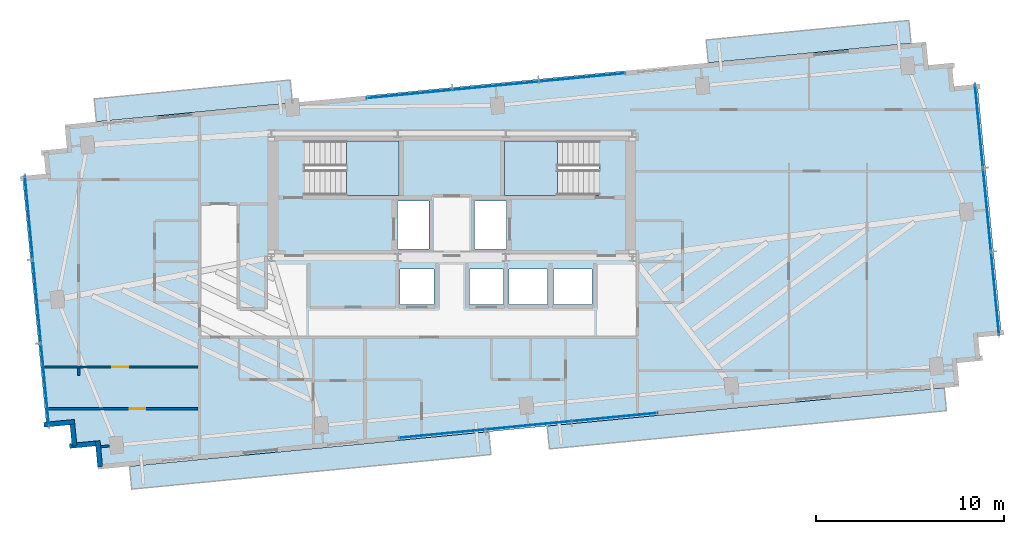
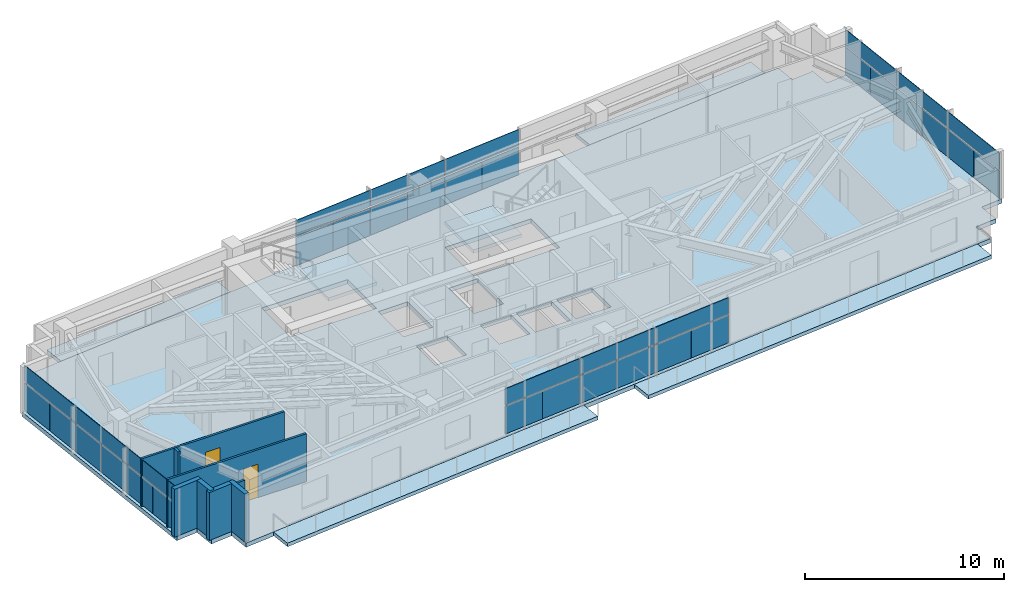
# One storey, part 12 of 18: 36 plates, 8 walls, 7 slabs, 2 doors, 2 openings, 6 elements without a shape of their own.
"""IFC4 building model written with IfcOpenShell, lengths in metres."""

from ifc_helpers import new_model, si_unit, direction, frame, frame_2d, origin, origin_2d, place, context, subcontext, project, spatial, polyline, rectangle, outline, extrude, source, transform, mapped, material, layer, layer_set, type_object, type_shapes, element, fill, aggregate, save


model = new_model("IFC4")

# Units and contexts
model_context = context("Model", 3, precision=1e-05, world=origin(), true_north=direction((0.0, 1.0)))
body_context = subcontext(model_context, "Body", "Model", "MODEL_VIEW")
ifc_project = project(units=[si_unit("LENGTHUNIT", "METRE"), si_unit("AREAUNIT", "SQUARE_METRE"), si_unit("VOLUMEUNIT", "CUBIC_METRE"), si_unit("PLANEANGLEUNIT", "RADIAN"), si_unit("MASSUNIT", "GRAM", prefix="KILO")], contexts=[model_context])

# Site, building, storey
site_placement = place(None, origin())
site = spatial("IfcSite", under=ifc_project, at=site_placement, CompositionType="ELEMENT")
building_placement = place(site_placement, origin())
building = spatial("IfcBuilding", under=site, at=building_placement, Name="Astriad Promenade Condominiums", CompositionType="ELEMENT")
storey_placement = place(building_placement, frame((0.0, 0.0, 176.199951171875)))
storey = spatial("IfcBuildingStorey", under=building, at=storey_placement, Name="L50", CompositionType="ELEMENT", Elevation=176.199951171875)

# Slab
ifc_material_1 = material(Name="Concrete C50/60", Category="concrete")
ifc_layer_1 = layer(ifc_material_1, 0.260009765625)
ifc_layer_set_1 = layer_set([ifc_layer_1], Name="Concrete C50/60")
slab_type_1 = type_object("IfcSlabType", Name="CONCRETE TOWER FLOOR SLAB 260", PredefinedType="FLOOR", material=ifc_layer_set_1)
slab_1_placement = place(storey_placement, frame((0.0, 0.0, -0.260009765625)))
element("IfcSlab", 1, at=slab_1_placement, inside=storey, type_object=slab_type_1, Name="Structural Floor Slab (L50)", PredefinedType="FLOOR", context=body_context, shape_type="SweptSolid", body=[
    extrude(outline(polyline([(17.187744140625, 6.137939453125), (62.975830078125, 10.546875), (62.856201171875, 11.791015625), (64.100341796875, 11.910888671875), (63.98046875, 13.155029296875), (65.224853515625, 13.27490234375), (63.9404296875, 26.61328125), (62.6962890625, 26.493408203125), (62.576416015625, 27.73779296875), (61.33203125, 27.617919921875), (61.21240234375, 28.862060546875), (15.424072265625, 24.453125), (15.5439453125, 23.208984375), (14.2998046875, 23.089111328125), (14.41943359375, 21.844970703125), (13.17529296875, 21.72509765625), (14.459716796875, 8.38671875), (15.703857421875, 8.506591796875), (15.823486328125, 7.26220703125), (17.06787109375, 7.382080078125), (17.187744140625, 6.137939453125)]), holes=[polyline([(28.175048828125, 20.699951171875), (33.175048828125, 20.699951171875), (33.175048828125, 23.60009765625), (28.175048828125, 23.60009765625), (28.175048828125, 20.699951171875)]), polyline([(38.824951171875, 20.699951171875), (43.824951171875, 20.699951171875), (43.824951171875, 23.60009765625), (38.824951171875, 23.60009765625), (38.824951171875, 20.699951171875)]), polyline([(33.10009765625, 17.85009765625), (34.800048828125, 17.85009765625), (34.800048828125, 20.39990234375), (33.10009765625, 20.39990234375), (33.10009765625, 17.85009765625)]), polyline([(37.199951171875, 17.85009765625), (38.89990234375, 17.85009765625), (38.89990234375, 20.39990234375), (37.199951171875, 20.39990234375), (37.199951171875, 17.85009765625)]), polyline([(33.25, 14.89990234375), (35.050048828125, 14.89990234375), (35.050048828125, 16.800048828125), (33.25, 16.800048828125), (33.25, 14.89990234375)]), polyline([(36.949951171875, 14.89990234375), (38.75, 14.89990234375), (38.75, 16.800048828125), (36.949951171875, 16.800048828125), (36.949951171875, 14.89990234375)]), polyline([(39.050048828125, 14.89990234375), (41.10009765625, 14.89990234375), (41.10009765625, 16.800048828125), (39.050048828125, 16.800048828125), (39.050048828125, 14.89990234375)]), polyline([(41.39990234375, 14.89990234375), (43.449951171875, 14.89990234375), (43.449951171875, 16.800048828125), (41.39990234375, 16.800048828125), (41.39990234375, 14.89990234375)])]), origin(), (0.0, 0.0, 1.0), 0.260009765625),
])

# Stair, slab
stair_type = type_object("IfcStairType", Name="STR-CORE-1350", PredefinedType="HALF_TURN_STAIR", material=ifc_material_1)
stair_1_placement = place(storey_placement, origin())
stair_1 = element("IfcStair", 2, at=stair_1_placement, inside=storey, type_object=stair_type, Name="L50 Enclosed Core Exit Stair ST-1", PredefinedType="HALF_TURN_STAIR")
ifc_layer_2 = layer(ifc_material_1, 0.219970703125)
ifc_layer_set_2 = layer_set([ifc_layer_2], Name="Concrete C50/60")
slab_type_2 = type_object("IfcSlabType", Name="SLB-LANDING-220", PredefinedType="LANDING", material=ifc_layer_set_2)
slab_2_placement = place(storey_placement, frame((0.0, 0.0, 1.400146484375)))
slab_2 = element("IfcSlab", 3, at=slab_2_placement, type_object=slab_type_2, Name="ST-1 landing 1", PredefinedType="LANDING", context=body_context, shape_type="SweptSolid", body=[
    extrude(outline(polyline([(30.389892578125, 20.699951171875), (33.199951171875, 20.699951171875), (33.199951171875, 23.60009765625), (30.389892578125, 23.60009765625), (30.389892578125, 20.699951171875)])), origin(), (0.0, 0.0, 1.0), 0.199951171875),
])
aggregate(stair_1, [slab_2])

stair_2_placement = place(storey_placement, origin())
stair_2 = element("IfcStair", 4, at=stair_2_placement, inside=storey, type_object=stair_type, Name="L50 Enclosed Core Exit Stair ST-2", PredefinedType="HALF_TURN_STAIR")
slab_3_placement = place(storey_placement, frame((0.0, 0.0, 1.400146484375)))
slab_3 = element("IfcSlab", 5, at=slab_3_placement, type_object=slab_type_2, Name="ST-2 landing 1", PredefinedType="LANDING", context=body_context, shape_type="SweptSolid", body=[
    extrude(outline(polyline([(41.610107421875, 23.60009765625), (38.800048828125, 23.60009765625), (38.800048828125, 20.699951171875), (41.610107421875, 20.699951171875), (41.610107421875, 23.60009765625)])), origin(), (0.0, 0.0, 1.0), 0.199951171875),
])
aggregate(stair_2, [slab_3])

# Slabs
ifc_material_2 = material(Name="Precast concrete C50/60", Category="concrete")
ifc_layer_3 = layer(ifc_material_2, 0.219970703125)
ifc_layer_set_3 = layer_set([ifc_layer_3], Name="Precast concrete C50/60")
slab_type_3 = type_object("IfcSlabType", Name="WHITE PRECAST CONCRETE WAVE BALCONY SLAB 220", PredefinedType="FLOOR", material=ifc_layer_set_3)
slab_4_placement = place(storey_placement, frame((0.0, 0.0, -0.219970703125)))
element("IfcSlab", 6, at=slab_4_placement, inside=storey, type_object=slab_type_3, Name="White Precast Wave Balcony Slab BAL-L50-SW", PredefinedType="FLOOR", context=body_context, shape_type="SweptSolid", body=[
    extrude(outline(polyline([(38.08056640625, 6.924072265625), (18.98681640625, 5.08544921875), (18.8701171875, 6.2978515625), (37.9638671875, 8.136474609375), (38.08056640625, 6.924072265625)])), origin(), (0.0, 0.0, 1.0), 0.219970703125),
])
slab_5_placement = place(storey_placement, frame((0.0, 0.0, -0.219970703125)))
element("IfcSlab", 7, at=slab_5_placement, inside=storey, type_object=slab_type_3, Name="White Precast Wave Balcony Slab BAL-L50-SE", PredefinedType="FLOOR", context=body_context, shape_type="SweptSolid", body=[
    extrude(outline(polyline([(41.18798828125, 7.22314453125), (62.29345703125, 9.255615234375), (62.176513671875, 10.4697265625), (41.0712890625, 8.4375), (41.18798828125, 7.22314453125)])), origin(), (0.0, 0.0, 1.0), 0.219970703125),
])
slab_6_placement = place(storey_placement, frame((0.0, 0.0, -0.219970703125)))
element("IfcSlab", 8, at=slab_6_placement, inside=storey, type_object=slab_type_3, Name="White Precast Wave Balcony Slab BAL-L50-NW", PredefinedType="FLOOR", context=body_context, shape_type="SweptSolid", body=[
    extrude(outline(polyline([(17.106201171875, 24.615234375), (27.528076171875, 25.61865234375), (27.4111328125, 26.8330078125), (16.989501953125, 25.82958984375), (17.106201171875, 24.615234375)])), origin(), (0.0, 0.0, 1.0), 0.219970703125),
])
slab_7_placement = place(storey_placement, frame((0.0, 0.0, -0.219970703125)))
element("IfcSlab", 9, at=slab_7_placement, inside=storey, type_object=slab_type_3, Name="White Precast Wave Balcony Slab BAL-L50-NE", PredefinedType="FLOOR", context=body_context, shape_type="SweptSolid", body=[
    extrude(outline(polyline([(49.518798828125, 28.9619140625), (60.296142578125, 29.99951171875), (60.412841796875, 28.787109375), (49.6357421875, 27.74951171875), (49.518798828125, 28.9619140625)])), origin(), (0.0, 0.0, 1.0), 0.219970703125),
])

# Curtain wall, plates
ifc_material_3 = material(Name="Anodised aluminium Black Dark Glass Unitised", Category="aluminium")
curtain_wall_type = type_object("IfcCurtainWallType", Name="CW-B34-DARK", PredefinedType="USERDEFINED", material=ifc_material_3)
curtain_wall_1_placement = place(storey_placement, origin())
curtain_wall_1 = element("IfcCurtainWall", 10, at=curtain_wall_1_placement, inside=storey, type_object=curtain_wall_type, Name="CW-L50-W", ObjectType="UNITISED_CURTAIN_WALL", PredefinedType="USERDEFINED")
ifc_material_4 = material(Name="Dark Tinted Low-E Laminated Glass", Category="glass")
ifc_layer_4 = layer(ifc_material_4, 0.035888671875)
ifc_layer_set_4 = layer_set([ifc_layer_4], Name="Dark Tinted Low-E Laminated Glass")
plate_type = type_object("IfcPlateType", Name="PNL-DARK-GLASS-36", PredefinedType="CURTAIN_PANEL", material=ifc_layer_set_4)
shared_shape_1 = source(origin(), body_context, "Body", "SweptSolid", [
    extrude(rectangle(XDim=2.22119140625, YDim=0.035888671875, at=origin_2d()), origin(), (0.0, 0.0, 1.0), 1.702880859375),
])
plate_1_placement = place(storey_placement, frame((14.48193359375, 9.5107421875, 0.080078125), z_axis=(0.0, 0.0, 1.0), x_axis=(-0.09584575252, 0.995396198367, 0.0)))
plate_1 = element("IfcPlate", 11, at=plate_1_placement, type_object=plate_type, Name="CW-L50-W-PNL-00-VL", PredefinedType="CURTAIN_PANEL", context=body_context, shape_type="MappedRepresentation", body=[
    mapped(shared_shape_1, transform((0.0, 0.0, 0.0), scale=1.0)),
])
plate_2_placement = place(storey_placement, frame((14.267822265625, 11.73388671875, 0.080078125), z_axis=(0.0, 0.0, 1.0), x_axis=(-0.09584575252, 0.995396198367, 0.0)))
plate_2 = element("IfcPlate", 12, at=plate_2_placement, type_object=plate_type, Name="CW-L50-W-PNL-00-VR", PredefinedType="CURTAIN_PANEL", context=body_context, shape_type="MappedRepresentation", body=[
    mapped(shared_shape_1, transform((0.0, 0.0, 0.0), scale=1.0)),
])
plate_3_placement = place(storey_placement, frame((14.053955078125, 13.956787109375, 0.080078125), z_axis=(0.0, 0.0, 1.0), x_axis=(-0.09584575252, 0.995396198367, 0.0)))
plate_3 = element("IfcPlate", 13, at=plate_3_placement, type_object=plate_type, Name="CW-L50-W-PNL-01-VL", PredefinedType="CURTAIN_PANEL", context=body_context, shape_type="MappedRepresentation", body=[
    mapped(shared_shape_1, transform((0.0, 0.0, 0.0), scale=1.0)),
])
plate_4_placement = place(storey_placement, frame((13.839599609375, 16.179931640625, 0.080078125), z_axis=(0.0, 0.0, 1.0), x_axis=(-0.09584575252, 0.995396198367, 0.0)))
plate_4 = element("IfcPlate", 14, at=plate_4_placement, type_object=plate_type, Name="CW-L50-W-PNL-01-VR", PredefinedType="CURTAIN_PANEL", context=body_context, shape_type="MappedRepresentation", body=[
    mapped(shared_shape_1, transform((0.0, 0.0, 0.0), scale=1.0)),
])
plate_5_placement = place(storey_placement, frame((13.625732421875, 18.403076171875, 0.080078125), z_axis=(0.0, 0.0, 1.0), x_axis=(-0.09584575252, 0.995396198367, 0.0)))
plate_5 = element("IfcPlate", 15, at=plate_5_placement, type_object=plate_type, Name="CW-L50-W-PNL-02-VL", PredefinedType="CURTAIN_PANEL", context=body_context, shape_type="MappedRepresentation", body=[
    mapped(shared_shape_1, transform((0.0, 0.0, 0.0), scale=1.0)),
])
plate_6_placement = place(storey_placement, frame((13.41162109375, 20.626220703125, 0.080078125), z_axis=(0.0, 0.0, 1.0), x_axis=(-0.09584575252, 0.995396198367, 0.0)))
plate_6 = element("IfcPlate", 16, at=plate_6_placement, type_object=plate_type, Name="CW-L50-W-PNL-02-VR", PredefinedType="CURTAIN_PANEL", context=body_context, shape_type="MappedRepresentation", body=[
    mapped(shared_shape_1, transform((0.0, 0.0, 0.0), scale=1.0)),
])

curtain_wall_2_placement = place(storey_placement, origin())
curtain_wall_2 = element("IfcCurtainWall", 17, at=curtain_wall_2_placement, inside=storey, type_object=curtain_wall_type, Name="CW-L50-E", ObjectType="UNITISED_CURTAIN_WALL", PredefinedType="USERDEFINED")
plate_7_placement = place(storey_placement, frame((63.91796875, 25.4892578125, 0.080078125), z_axis=(0.0, 0.0, 1.0), x_axis=(0.09584575252, -0.995396198367, 0.0)))
plate_7 = element("IfcPlate", 18, at=plate_7_placement, type_object=plate_type, Name="CW-L50-E-PNL-00-VL", PredefinedType="CURTAIN_PANEL", context=body_context, shape_type="MappedRepresentation", body=[
    mapped(shared_shape_1, transform((0.0, 0.0, 0.0), scale=1.0)),
])
plate_8_placement = place(storey_placement, frame((64.132080078125, 23.26611328125, 0.080078125), z_axis=(0.0, 0.0, 1.0), x_axis=(0.09584575252, -0.995396198367, 0.0)))
plate_8 = element("IfcPlate", 19, at=plate_8_placement, type_object=plate_type, Name="CW-L50-E-PNL-00-VR", PredefinedType="CURTAIN_PANEL", context=body_context, shape_type="MappedRepresentation", body=[
    mapped(shared_shape_1, transform((0.0, 0.0, 0.0), scale=1.0)),
])
plate_9_placement = place(storey_placement, frame((64.34619140625, 21.043212890625, 0.080078125), z_axis=(0.0, 0.0, 1.0), x_axis=(0.09584575252, -0.995396198367, 0.0)))
plate_9 = element("IfcPlate", 20, at=plate_9_placement, type_object=plate_type, Name="CW-L50-E-PNL-01-VL", PredefinedType="CURTAIN_PANEL", context=body_context, shape_type="MappedRepresentation", body=[
    mapped(shared_shape_1, transform((0.0, 0.0, 0.0), scale=1.0)),
])
plate_10_placement = place(storey_placement, frame((64.560302734375, 18.820068359375, 0.080078125), z_axis=(0.0, 0.0, 1.0), x_axis=(0.09584575252, -0.995396198367, 0.0)))
plate_10 = element("IfcPlate", 21, at=plate_10_placement, type_object=plate_type, Name="CW-L50-E-PNL-01-VR", PredefinedType="CURTAIN_PANEL", context=body_context, shape_type="MappedRepresentation", body=[
    mapped(shared_shape_1, transform((0.0, 0.0, 0.0), scale=1.0)),
])
plate_11_placement = place(storey_placement, frame((64.7744140625, 16.596923828125, 0.080078125), z_axis=(0.0, 0.0, 1.0), x_axis=(0.09584575252, -0.995396198367, 0.0)))
plate_11 = element("IfcPlate", 22, at=plate_11_placement, type_object=plate_type, Name="CW-L50-E-PNL-02-VL", PredefinedType="CURTAIN_PANEL", context=body_context, shape_type="MappedRepresentation", body=[
    mapped(shared_shape_1, transform((0.0, 0.0, 0.0), scale=1.0)),
])
plate_12_placement = place(storey_placement, frame((64.98828125, 14.373779296875, 0.080078125), z_axis=(0.0, 0.0, 1.0), x_axis=(0.09584575252, -0.995396198367, 0.0)))
plate_12 = element("IfcPlate", 23, at=plate_12_placement, type_object=plate_type, Name="CW-L50-E-PNL-02-VR", PredefinedType="CURTAIN_PANEL", context=body_context, shape_type="MappedRepresentation", body=[
    mapped(shared_shape_1, transform((0.0, 0.0, 0.0), scale=1.0)),
])

# Plate
shared_shape_2 = source(origin(), body_context, "Body", "SweptSolid", [
    extrude(rectangle(XDim=4.45458984375, YDim=0.035888671875, at=origin_2d()), origin(), (0.0, 0.0, 1.0), 0.997314453125),
])
plate_13_placement = place(storey_placement, frame((14.375, 10.622314453125, 1.86279296875), z_axis=(0.0, 0.0, 1.0), x_axis=(-0.09584575252, 0.995396198367, 0.0)))
plate_13 = element("IfcPlate", 24, at=plate_13_placement, type_object=plate_type, Name="CW-L50-W-PNL-00-S", PredefinedType="CURTAIN_PANEL", context=body_context, shape_type="MappedRepresentation", body=[
    mapped(shared_shape_2, transform((0.0, 0.0, 0.0), scale=1.0)),
])

plate_14_placement = place(storey_placement, frame((13.94677734375, 15.068359375, 1.86279296875), z_axis=(0.0, 0.0, 1.0), x_axis=(-0.09584575252, 0.995396198367, 0.0)))
plate_14 = element("IfcPlate", 25, at=plate_14_placement, type_object=plate_type, Name="CW-L50-W-PNL-01-S", PredefinedType="CURTAIN_PANEL", context=body_context, shape_type="MappedRepresentation", body=[
    mapped(shared_shape_2, transform((0.0, 0.0, 0.0), scale=1.0)),
])

plate_15_placement = place(storey_placement, frame((13.518798828125, 19.514404296875, 1.86279296875), z_axis=(0.0, 0.0, 1.0), x_axis=(-0.09584575252, 0.995396198367, 0.0)))
plate_15 = element("IfcPlate", 26, at=plate_15_placement, type_object=plate_type, Name="CW-L50-W-PNL-02-S", PredefinedType="CURTAIN_PANEL", context=body_context, shape_type="MappedRepresentation", body=[
    mapped(shared_shape_2, transform((0.0, 0.0, 0.0), scale=1.0)),
])

aggregate(curtain_wall_1, [plate_1, plate_2, plate_13, plate_3, plate_4, plate_14, plate_5, plate_6, plate_15])

plate_16_placement = place(storey_placement, frame((64.02490234375, 24.377685546875, 1.86279296875), z_axis=(0.0, 0.0, 1.0), x_axis=(0.09584575252, -0.995396198367, 0.0)))
plate_16 = element("IfcPlate", 27, at=plate_16_placement, type_object=plate_type, Name="CW-L50-E-PNL-00-S", PredefinedType="CURTAIN_PANEL", context=body_context, shape_type="MappedRepresentation", body=[
    mapped(shared_shape_2, transform((0.0, 0.0, 0.0), scale=1.0)),
])

plate_17_placement = place(storey_placement, frame((64.453125, 19.931640625, 1.86279296875), z_axis=(0.0, 0.0, 1.0), x_axis=(0.09584575252, -0.995396198367, 0.0)))
plate_17 = element("IfcPlate", 28, at=plate_17_placement, type_object=plate_type, Name="CW-L50-E-PNL-01-S", PredefinedType="CURTAIN_PANEL", context=body_context, shape_type="MappedRepresentation", body=[
    mapped(shared_shape_2, transform((0.0, 0.0, 0.0), scale=1.0)),
])

plate_18_placement = place(storey_placement, frame((64.88134765625, 15.485595703125, 1.86279296875), z_axis=(0.0, 0.0, 1.0), x_axis=(0.09584575252, -0.995396198367, 0.0)))
plate_18 = element("IfcPlate", 29, at=plate_18_placement, type_object=plate_type, Name="CW-L50-E-PNL-02-S", PredefinedType="CURTAIN_PANEL", context=body_context, shape_type="MappedRepresentation", body=[
    mapped(shared_shape_2, transform((0.0, 0.0, 0.0), scale=1.0)),
])

aggregate(curtain_wall_2, [plate_7, plate_8, plate_16, plate_9, plate_10, plate_17, plate_11, plate_12, plate_18])

# Curtain wall, plates
curtain_wall_3_placement = place(storey_placement, origin())
curtain_wall_3 = element("IfcCurtainWall", 30, at=curtain_wall_3_placement, inside=storey, type_object=curtain_wall_type, Name="CW-L50-N", ObjectType="UNITISED_CURTAIN_WALL", PredefinedType="USERDEFINED")
shared_shape_3 = source(origin(), body_context, "Body", "SweptSolid", [
    extrude(rectangle(XDim=2.2880859375, YDim=0.035888671875, at=origin_2d()), origin(), (0.0, 0.0, 1.0), 1.702880859375),
])
plate_19_placement = place(storey_placement, frame((32.607177734375, 25.97705078125, 0.080078125), z_axis=(0.0, 0.0, 1.0), x_axis=(0.995396198367, 0.09584575252, 0.0)))
plate_19 = element("IfcPlate", 31, at=plate_19_placement, type_object=plate_type, Name="CW-L50-N-PNL-00-VL", PredefinedType="CURTAIN_PANEL", context=body_context, shape_type="MappedRepresentation", body=[
    mapped(shared_shape_3, transform((0.0, 0.0, 0.0), scale=1.0)),
])
plate_20_placement = place(storey_placement, frame((34.896484375, 26.197509765625, 0.080078125), z_axis=(0.0, 0.0, 1.0), x_axis=(0.995396198367, 0.09584575252, 0.0)))
plate_20 = element("IfcPlate", 32, at=plate_20_placement, type_object=plate_type, Name="CW-L50-N-PNL-00-VR", PredefinedType="CURTAIN_PANEL", context=body_context, shape_type="MappedRepresentation", body=[
    mapped(shared_shape_3, transform((0.0, 0.0, 0.0), scale=1.0)),
])
plate_21_placement = place(storey_placement, frame((37.18603515625, 26.41796875, 0.080078125), z_axis=(0.0, 0.0, 1.0), x_axis=(0.995396198367, 0.09584575252, 0.0)))
plate_21 = element("IfcPlate", 33, at=plate_21_placement, type_object=plate_type, Name="CW-L50-N-PNL-01-VL", PredefinedType="CURTAIN_PANEL", context=body_context, shape_type="MappedRepresentation", body=[
    mapped(shared_shape_3, transform((0.0, 0.0, 0.0), scale=1.0)),
])
plate_22_placement = place(storey_placement, frame((39.475341796875, 26.638427734375, 0.080078125), z_axis=(0.0, 0.0, 1.0), x_axis=(0.995396198367, 0.09584575252, 0.0)))
plate_22 = element("IfcPlate", 34, at=plate_22_placement, type_object=plate_type, Name="CW-L50-N-PNL-01-VR", PredefinedType="CURTAIN_PANEL", context=body_context, shape_type="MappedRepresentation", body=[
    mapped(shared_shape_3, transform((0.0, 0.0, 0.0), scale=1.0)),
])
plate_23_placement = place(storey_placement, frame((41.764892578125, 26.85888671875, 0.080078125), z_axis=(0.0, 0.0, 1.0), x_axis=(0.995396198367, 0.09584575252, 0.0)))
plate_23 = element("IfcPlate", 35, at=plate_23_placement, type_object=plate_type, Name="CW-L50-N-PNL-02-VL", PredefinedType="CURTAIN_PANEL", context=body_context, shape_type="MappedRepresentation", body=[
    mapped(shared_shape_3, transform((0.0, 0.0, 0.0), scale=1.0)),
])
plate_24_placement = place(storey_placement, frame((44.05419921875, 27.079345703125, 0.080078125), z_axis=(0.0, 0.0, 1.0), x_axis=(0.995396198367, 0.09584575252, 0.0)))
plate_24 = element("IfcPlate", 36, at=plate_24_placement, type_object=plate_type, Name="CW-L50-N-PNL-02-VR", PredefinedType="CURTAIN_PANEL", context=body_context, shape_type="MappedRepresentation", body=[
    mapped(shared_shape_3, transform((0.0, 0.0, 0.0), scale=1.0)),
])

curtain_wall_4_placement = place(storey_placement, origin())
curtain_wall_4 = element("IfcCurtainWall", 37, at=curtain_wall_4_placement, inside=storey, type_object=curtain_wall_type, Name="CW-L50-S", ObjectType="UNITISED_CURTAIN_WALL", PredefinedType="USERDEFINED")
plate_25_placement = place(storey_placement, frame((45.792724609375, 9.02294921875, 0.080078125), z_axis=(0.0, 0.0, 1.0), x_axis=(-0.995396198367, -0.09584575252, 0.0)))
plate_25 = element("IfcPlate", 38, at=plate_25_placement, type_object=plate_type, Name="CW-L50-S-PNL-00-VL", PredefinedType="CURTAIN_PANEL", context=body_context, shape_type="MappedRepresentation", body=[
    mapped(shared_shape_3, transform((0.0, 0.0, 0.0), scale=1.0)),
])
plate_26_placement = place(storey_placement, frame((43.50341796875, 8.802490234375, 0.080078125), z_axis=(0.0, 0.0, 1.0), x_axis=(-0.995396198367, -0.09584575252, 0.0)))
plate_26 = element("IfcPlate", 39, at=plate_26_placement, type_object=plate_type, Name="CW-L50-S-PNL-00-VR", PredefinedType="CURTAIN_PANEL", context=body_context, shape_type="MappedRepresentation", body=[
    mapped(shared_shape_3, transform((0.0, 0.0, 0.0), scale=1.0)),
])
plate_27_placement = place(storey_placement, frame((41.214111328125, 8.58203125, 0.080078125), z_axis=(0.0, 0.0, 1.0), x_axis=(-0.995396198367, -0.09584575252, 0.0)))
plate_27 = element("IfcPlate", 40, at=plate_27_placement, type_object=plate_type, Name="CW-L50-S-PNL-01-VL", PredefinedType="CURTAIN_PANEL", context=body_context, shape_type="MappedRepresentation", body=[
    mapped(shared_shape_3, transform((0.0, 0.0, 0.0), scale=1.0)),
])
plate_28_placement = place(storey_placement, frame((38.924560546875, 8.361572265625, 0.080078125), z_axis=(0.0, 0.0, 1.0), x_axis=(-0.995396198367, -0.09584575252, 0.0)))
plate_28 = element("IfcPlate", 41, at=plate_28_placement, type_object=plate_type, Name="CW-L50-S-PNL-01-VR", PredefinedType="CURTAIN_PANEL", context=body_context, shape_type="MappedRepresentation", body=[
    mapped(shared_shape_3, transform((0.0, 0.0, 0.0), scale=1.0)),
])
plate_29_placement = place(storey_placement, frame((36.63525390625, 8.14111328125, 0.080078125), z_axis=(0.0, 0.0, 1.0), x_axis=(-0.995396198367, -0.09584575252, 0.0)))
plate_29 = element("IfcPlate", 42, at=plate_29_placement, type_object=plate_type, Name="CW-L50-S-PNL-02-VL", PredefinedType="CURTAIN_PANEL", context=body_context, shape_type="MappedRepresentation", body=[
    mapped(shared_shape_3, transform((0.0, 0.0, 0.0), scale=1.0)),
])
plate_30_placement = place(storey_placement, frame((34.345703125, 7.920654296875, 0.080078125), z_axis=(0.0, 0.0, 1.0), x_axis=(-0.995396198367, -0.09584575252, 0.0)))
plate_30 = element("IfcPlate", 43, at=plate_30_placement, type_object=plate_type, Name="CW-L50-S-PNL-02-VR", PredefinedType="CURTAIN_PANEL", context=body_context, shape_type="MappedRepresentation", body=[
    mapped(shared_shape_3, transform((0.0, 0.0, 0.0), scale=1.0)),
])

# Plate
shared_shape_4 = source(origin(), body_context, "Body", "SweptSolid", [
    extrude(rectangle(XDim=4.587890625, YDim=0.035888671875, at=origin_2d()), origin(), (0.0, 0.0, 1.0), 0.997314453125),
])
type_shapes(plate_type, [shared_shape_1, shared_shape_2, shared_shape_3, shared_shape_4])
plate_31_placement = place(storey_placement, frame((33.751953125, 26.08740234375, 1.86279296875), z_axis=(0.0, 0.0, 1.0), x_axis=(0.995396198367, 0.09584575252, 0.0)))
plate_31 = element("IfcPlate", 44, at=plate_31_placement, type_object=plate_type, Name="CW-L50-N-PNL-00-S", PredefinedType="CURTAIN_PANEL", context=body_context, shape_type="MappedRepresentation", body=[
    mapped(shared_shape_4, transform((0.0, 0.0, 0.0), scale=1.0)),
])

plate_32_placement = place(storey_placement, frame((38.330810546875, 26.5283203125, 1.86279296875), z_axis=(0.0, 0.0, 1.0), x_axis=(0.995396198367, 0.09584575252, 0.0)))
plate_32 = element("IfcPlate", 45, at=plate_32_placement, type_object=plate_type, Name="CW-L50-N-PNL-01-S", PredefinedType="CURTAIN_PANEL", context=body_context, shape_type="MappedRepresentation", body=[
    mapped(shared_shape_4, transform((0.0, 0.0, 0.0), scale=1.0)),
])

plate_33_placement = place(storey_placement, frame((42.909423828125, 26.968994140625, 1.86279296875), z_axis=(0.0, 0.0, 1.0), x_axis=(0.995396198367, 0.09584575252, 0.0)))
plate_33 = element("IfcPlate", 46, at=plate_33_placement, type_object=plate_type, Name="CW-L50-N-PNL-02-S", PredefinedType="CURTAIN_PANEL", context=body_context, shape_type="MappedRepresentation", body=[
    mapped(shared_shape_4, transform((0.0, 0.0, 0.0), scale=1.0)),
])

aggregate(curtain_wall_3, [plate_19, plate_20, plate_31, plate_21, plate_22, plate_32, plate_23, plate_24, plate_33])

plate_34_placement = place(storey_placement, frame((44.648193359375, 8.91259765625, 1.86279296875), z_axis=(0.0, 0.0, 1.0), x_axis=(-0.995396198367, -0.09584575252, 0.0)))
plate_34 = element("IfcPlate", 47, at=plate_34_placement, type_object=plate_type, Name="CW-L50-S-PNL-00-S", PredefinedType="CURTAIN_PANEL", context=body_context, shape_type="MappedRepresentation", body=[
    mapped(shared_shape_4, transform((0.0, 0.0, 0.0), scale=1.0)),
])

plate_35_placement = place(storey_placement, frame((40.0693359375, 8.4716796875, 1.86279296875), z_axis=(0.0, 0.0, 1.0), x_axis=(-0.995396198367, -0.09584575252, 0.0)))
plate_35 = element("IfcPlate", 48, at=plate_35_placement, type_object=plate_type, Name="CW-L50-S-PNL-01-S", PredefinedType="CURTAIN_PANEL", context=body_context, shape_type="MappedRepresentation", body=[
    mapped(shared_shape_4, transform((0.0, 0.0, 0.0), scale=1.0)),
])

plate_36_placement = place(storey_placement, frame((35.490478515625, 8.031005859375, 1.86279296875), z_axis=(0.0, 0.0, 1.0), x_axis=(-0.995396198367, -0.09584575252, 0.0)))
plate_36 = element("IfcPlate", 49, at=plate_36_placement, type_object=plate_type, Name="CW-L50-S-PNL-02-S", PredefinedType="CURTAIN_PANEL", context=body_context, shape_type="MappedRepresentation", body=[
    mapped(shared_shape_4, transform((0.0, 0.0, 0.0), scale=1.0)),
])

aggregate(curtain_wall_4, [plate_25, plate_26, plate_34, plate_27, plate_28, plate_35, plate_29, plate_30, plate_36])

# Walls
ifc_layer_5 = layer(ifc_material_2, 0.260009765625)
ifc_layer_set_5 = layer_set([ifc_layer_5], Name="Precast concrete C50/60")
wall_type_1 = type_object("IfcWallType", Name="WALL-EXT-TWR-260", PredefinedType="STANDARD", material=ifc_layer_set_5)
wall_1_placement = place(storey_placement, frame((17.0703125, 7.512939453125, 0.0), z_axis=(0.0, 0.0, 1.0), x_axis=(-0.995391056452, -0.09589913835, 0.0)))
element("IfcWall", 50, at=wall_1_placement, inside=storey, type_object=wall_type_1, Name="W-SER-L50-00", PredefinedType="STANDARD", context=body_context, shape_type="SweptSolid", body=[
    extrude(rectangle(XDim=1.39501953125, YDim=0.260009765625, at=frame_2d((0.697509765625, 0.0))), origin(), (0.0, 0.0, 1.0), 2.93994140625),
])
wall_2_placement = place(storey_placement, frame((15.94189453125, 7.389404296875, 0.0), z_axis=(0.0, 0.0, 1.0), x_axis=(-0.09576095695, 0.995404359607, 0.0)))
element("IfcWall", 51, at=wall_2_placement, inside=storey, type_object=wall_type_1, Name="W-SER-L50-01", PredefinedType="STANDARD", context=body_context, shape_type="SweptSolid", body=[
    extrude(rectangle(XDim=1.14990234375, YDim=0.260009765625, at=frame_2d((0.574951171875, 0.0))), origin(), (0.0, 0.0, 1.0), 2.93994140625),
])
wall_3_placement = place(storey_placement, frame((15.9501953125, 8.660888671875, 0.0), z_axis=(0.0, 0.0, 1.0), x_axis=(-0.995394563142, -0.095862733462, 0.0)))
element("IfcWall", 52, at=wall_3_placement, inside=storey, type_object=wall_type_1, Name="W-SER-L50-02", PredefinedType="STANDARD", context=body_context, shape_type="SweptSolid", body=[
    extrude(rectangle(XDim=1.64013671875, YDim=0.260009765625, at=frame_2d((0.820068359375, 0.0))), origin(), (0.0, 0.0, 1.0), 2.93994140625),
])
wall_4_placement = place(storey_placement, frame((17.30615234375, 6.264892578125, 0.0), z_axis=(0.0, 0.0, 1.0), x_axis=(-0.095915846097, 0.995389446633, 0.0)))
element("IfcWall", 53, at=wall_4_placement, inside=storey, type_object=wall_type_1, Name="W-SER-L50-19", PredefinedType="STANDARD", context=body_context, shape_type="SweptSolid", body=[
    extrude(rectangle(XDim=1.394775390625, YDim=0.260009765625, at=frame_2d((0.697265625, 0.0))), origin(), (0.0, 0.0, 1.0), 2.93994140625),
])

# Wall, opening, door
ifc_material_5 = material(Name="Acoustic Metal-Stud Gypsum Partition")
ifc_layer_6 = layer(ifc_material_5, 0.1201171875)
ifc_layer_set_6 = layer_set([ifc_layer_6], Name="Acoustic Metal-Stud Gypsum Partition")
wall_type_2 = type_object("IfcWallType", Name="WALL-PART-120", PredefinedType="PARTITIONING", material=ifc_layer_set_6)
wall_5_placement = place(storey_placement, frame((14.447021484375, 9.35302734375, 0.0), z_axis=(0.0, 0.0, 1.0), x_axis=(1.0, 0.0, 0.0)))
wall_5 = element("IfcWall", 54, at=wall_5_placement, inside=storey, type_object=wall_type_2, Name="PT-L50-W1-B2", PredefinedType="PARTITIONING", context=body_context, shape_type="SweptSolid", body=[
    extrude(rectangle(XDim=8.071044921875, YDim=0.1201171875, at=frame_2d((4.03564453125, 0.0))), origin(), (0.0, 0.0, 1.0), 2.93994140625),
])
opening_1_placement = place(wall_5_placement, frame((4.419921875, 0.0, 0.0)))
opening_1 = element("IfcOpeningElement", 55, at=opening_1_placement, cuts=wall_5, Name="Opening D-INT-085", PredefinedType="OPENING", context=body_context, shape_type="SweptSolid", body=[
    extrude(rectangle(XDim=0.85009765625, YDim=2.050048828125, at=frame_2d((0.425048828125, 1.02490234375))), frame((0.0, 0.070068359375, 0.0), z_axis=(0.0, -1.0, 0.0), x_axis=(1.0, 0.0, 0.0)), (0.0, 0.0, 1.0), 0.14013671875),
])
ifc_material_6 = material(Name="Painted Solid-Core Timber Room Door", Category="wood")
door_type = type_object("IfcDoorType", Name="D-INT-085", OperationType="NOTDEFINED", PredefinedType="DOOR", material=ifc_material_6)
shared_shape_5 = source(origin(), body_context, "Body", "SweptSolid", [
    extrude(rectangle(XDim=0.85009765625, YDim=2.050048828125, at=frame_2d((0.425048828125, 1.02490234375))), frame((0.0, 0.02490234375, 0.0), z_axis=(0.0, -1.0, 0.0), x_axis=(1.0, 0.0, 0.0)), (0.0, 0.0, 1.0), 0.050048828125),
])
type_shapes(door_type, [shared_shape_5])
door_1_placement = place(opening_1_placement, origin())
door_1 = element("IfcDoor", 56, at=door_1_placement, inside=storey, type_object=door_type, Name="D-BD2-L50-W1", OperationType="SINGLE_SWING_LEFT", OverallHeight=2.050048828125, OverallWidth=0.85009765625, PredefinedType="DOOR", context=body_context, shape_type="MappedRepresentation", body=[
    mapped(shared_shape_5, transform((0.0, 0.0, 0.0), scale=1.0)),
])
fill(opening_1, door_1)

wall_6_placement = place(storey_placement, frame((14.232666015625, 11.577880859375, 0.0), z_axis=(0.0, 0.0, 1.0), x_axis=(1.0, 0.0, 0.0)))
wall_6 = element("IfcWall", 57, at=wall_6_placement, inside=storey, type_object=wall_type_2, Name="PT-L50-W1-WDS1", PredefinedType="PARTITIONING", context=body_context, shape_type="SweptSolid", body=[
    extrude(rectangle(XDim=8.285400390625, YDim=0.1201171875, at=frame_2d((4.142578125, 0.0))), origin(), (0.0, 0.0, 1.0), 2.93994140625),
])
opening_2_placement = place(wall_6_placement, frame((3.711181640625, 0.0, 0.0)))
opening_2 = element("IfcOpeningElement", 58, at=opening_2_placement, cuts=wall_6, Name="Opening D-INT-085", PredefinedType="OPENING", context=body_context, shape_type="SweptSolid", body=[
    extrude(rectangle(XDim=0.85009765625, YDim=2.050048828125, at=frame_2d((0.425048828125, 1.02490234375))), frame((0.0, 0.070068359375, 0.0), z_axis=(0.0, -1.0, 0.0), x_axis=(1.0, 0.0, 0.0)), (0.0, 0.0, 1.0), 0.14013671875),
])
door_2_placement = place(opening_2_placement, origin())
door_2 = element("IfcDoor", 59, at=door_2_placement, inside=storey, type_object=door_type, Name="D-WDS1-L50-W1", OperationType="SINGLE_SWING_RIGHT", OverallHeight=2.050048828125, OverallWidth=0.85009765625, PredefinedType="DOOR", context=body_context, shape_type="MappedRepresentation", body=[
    mapped(shared_shape_5, transform((0.0, 0.0, 0.0), scale=1.0)),
])
fill(opening_2, door_2)

# Walls
wall_7_placement = place(storey_placement, frame((16.175048828125, 11.137939453125, 0.0), z_axis=(0.0, 0.0, 1.0), x_axis=(0.0, 1.0, 0.0)))
element("IfcWall", 60, at=wall_7_placement, inside=storey, type_object=wall_type_2, Name="PT-L50-W1-WDV2", PredefinedType="PARTITIONING", context=body_context, shape_type="SweptSolid", body=[
    extrude(rectangle(XDim=0.378173828125, YDim=0.1201171875, at=frame_2d((0.18896484375, 0.0))), origin(), (0.0, 0.0, 1.0), 2.93994140625),
])
wall_8_placement = place(storey_placement, frame((17.791259765625, 7.381591796875, 0.0), z_axis=(0.0, 0.0, 1.0), x_axis=(-0.995384576284, -0.09596637586, 0.0)))
element("IfcWall", 61, at=wall_8_placement, inside=storey, type_object=wall_type_2, Name="PT-PIL-L50-PC01-8", PredefinedType="PARTITIONING", context=body_context, shape_type="SweptSolid", body=[
    extrude(rectangle(XDim=0.4580078125, YDim=0.1201171875, at=frame_2d((0.22900390625, 0.0))), origin(), (0.0, 0.0, 1.0), 2.93994140625),
])

save(model, "model.ifc")
